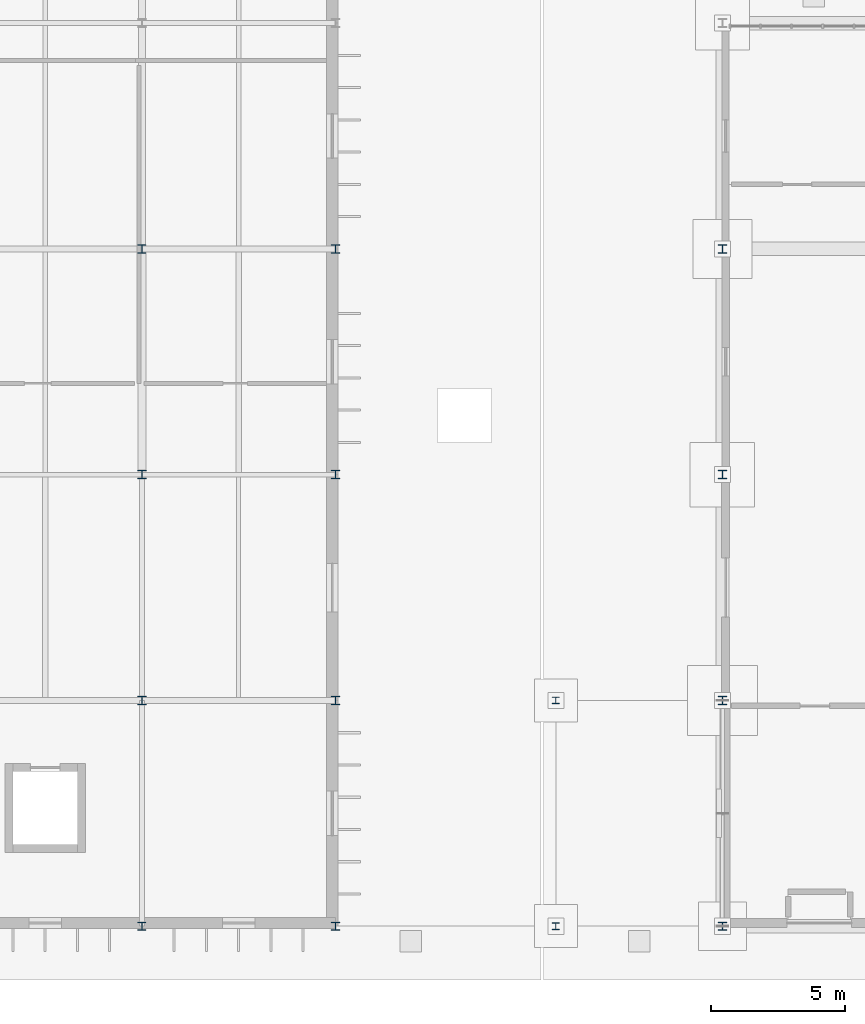
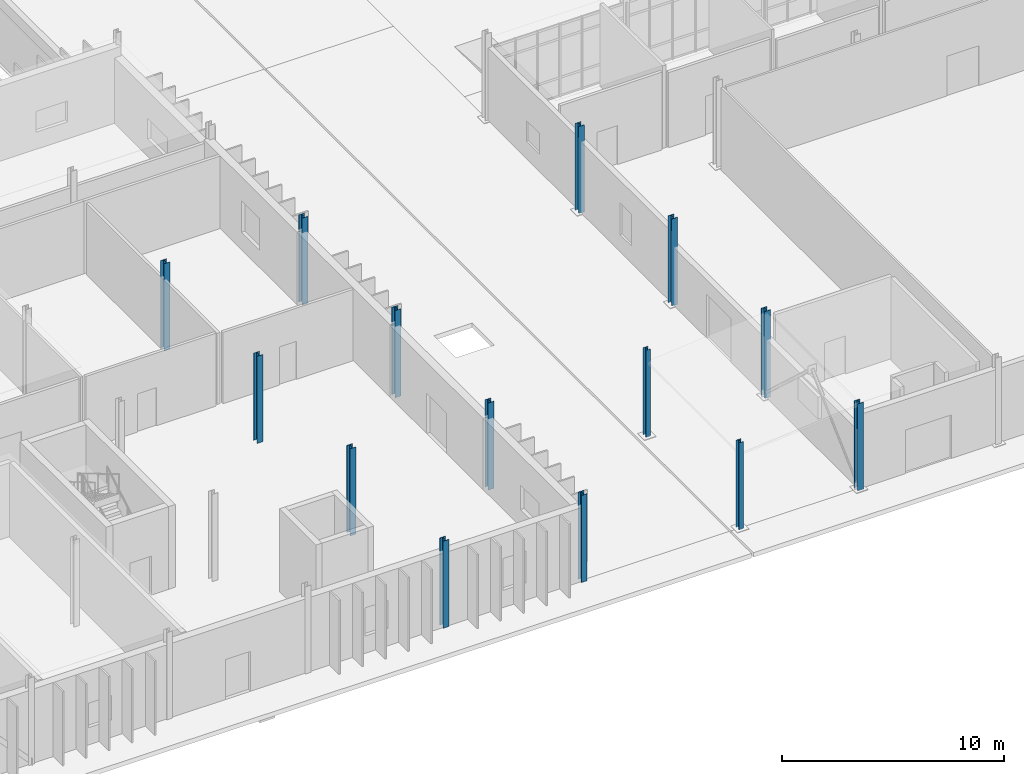
# One storey, part 9 of 118: 14 columns.
"""IFC4 building model written with IfcOpenShell, lengths in metres."""

from ifc_helpers import new_model, si_unit, direction, frame, origin, origin_2d, place, context, subcontext, project, spatial, i_section, extrude, material, material_profile, profile_set, type_object, element, save


model = new_model("IFC4")

# Units and contexts
model_context = context("Model", 3, precision=1e-05, world=origin(), true_north=direction((0.0, 1.0)))
body_context = subcontext(model_context, "Body", "Model", "MODEL_VIEW")
ifc_project = project(units=[si_unit("LENGTHUNIT", "METRE"), si_unit("AREAUNIT", "SQUARE_METRE"), si_unit("VOLUMEUNIT", "CUBIC_METRE"), si_unit("PLANEANGLEUNIT", "RADIAN"), si_unit("MASSUNIT", "GRAM", prefix="KILO")], contexts=[model_context])

# Site, building, storey
site_placement = place(None, origin())
site = spatial("IfcSite", under=ifc_project, at=site_placement, CompositionType="ELEMENT")
building_placement = place(site_placement, origin())
building = spatial("IfcBuilding", under=site, at=building_placement, Name="Qelthora Terrace Specialist Clinic", CompositionType="ELEMENT")
storey_placement = place(building_placement, origin())
storey = spatial("IfcBuildingStorey", under=building, at=storey_placement, Name="L00", CompositionType="ELEMENT", Elevation=0.0)

# Columns
ifc_material = material(Name="Steel S355", Category="steel")
ifc_material_profile_1 = material_profile(ifc_material, i_section(OverallWidth=0.2548828125, OverallDepth=0.256103515625, WebThickness=0.009521484375, FlangeThickness=0.015625, FilletRadius=0.012939453125, at=origin_2d()), Name="W250X80")
ifc_profile_set_1 = profile_set([ifc_material_profile_1], Name="Steel S355")
column_type_1 = type_object("IfcColumnType", Name="COL-W250X80", PredefinedType="COLUMN", material=ifc_profile_set_1)
column_1_placement = place(storey_placement, frame((51.39990234375, 8.39990234375, 0.0), z_axis=(0.0, 0.0, 1.0), x_axis=(1.0, 0.0, 0.0)))
element("IfcColumn", 1, at=column_1_placement, inside=storey, type_object=column_type_1, Name="Column L00-101", PredefinedType="COLUMN", context=body_context, shape_type="SweptSolid", body=[
    extrude(i_section(OverallWidth=0.2548828125, OverallDepth=0.256103515625, WebThickness=0.009521484375, FlangeThickness=0.015625, FilletRadius=0.012939453125, at=origin_2d()), origin(), (0.0, 0.0, 1.0), 4.800048828125),
])
ifc_material_profile_2 = material_profile(ifc_material, i_section(OverallWidth=0.256103515625, OverallDepth=0.260009765625, WebThickness=0.0107421875, FlangeThickness=0.017333984375, FilletRadius=0.012939453125, at=origin_2d()), Name="W250X89")
ifc_profile_set_2 = profile_set([ifc_material_profile_2], Name="Steel S355")
column_type_2 = type_object("IfcColumnType", Name="COL-W250X89", PredefinedType="COLUMN", material=ifc_profile_set_2)
column_2_placement = place(storey_placement, frame((51.39990234375, 0.0, 0.0), z_axis=(0.0, 0.0, 1.0), x_axis=(1.0, 0.0, 0.0)))
element("IfcColumn", 2, at=column_2_placement, inside=storey, type_object=column_type_2, Name="Column L00-100", PredefinedType="COLUMN", context=body_context, shape_type="SweptSolid", body=[
    extrude(i_section(OverallWidth=0.256103515625, OverallDepth=0.260009765625, WebThickness=0.0107421875, FlangeThickness=0.017333984375, FilletRadius=0.012939453125, at=origin_2d()), origin(), (0.0, 0.0, 1.0), 4.800048828125),
])
ifc_material_profile_3 = material_profile(ifc_material, i_section(OverallWidth=0.305908203125, OverallDepth=0.31103515625, WebThickness=0.010986328125, FlangeThickness=0.01708984375, FilletRadius=0.014892578125, at=origin_2d()), Name="W310X107")
ifc_profile_set_3 = profile_set([ifc_material_profile_3], Name="Steel S355")
column_type_3 = type_object("IfcColumnType", Name="COL-W310X107", PredefinedType="COLUMN", material=ifc_profile_set_3)
for number, where, z_axis, x_axis, name in (
    (3, (36.0, 16.800048828125, 0.0), (0.0, 0.0, 1.0), (1.0, 0.0, 0.0), "Column L00-067"),
    (4, (43.199951171875, 0.0, 0.0), (0.0, 0.0, 1.0), (1.0, 0.0, 0.0), "Column L00-079"),
    (5, (43.199951171875, 25.199951171875, 0.0), (0.0, 0.0, 1.0), (1.0, 0.0, 0.0), "Column L00-082"),
    (6, (57.60009765625, 16.800048828125, 0.0), (0.0, 0.0, 1.0), (1.0, 0.0, 0.0), "Column L00-106"),
):
    element("IfcColumn", number, at=place(storey_placement, frame(where, z_axis=z_axis, x_axis=x_axis)), inside=storey, type_object=column_type_3, Name=name, PredefinedType="COLUMN", context=body_context, shape_type="SweptSolid", body=[
        extrude(i_section(OverallWidth=0.305908203125, OverallDepth=0.31103515625, WebThickness=0.010986328125, FlangeThickness=0.01708984375, FilletRadius=0.014892578125, at=origin_2d()), origin(), (0.0, 0.0, 1.0), 4.800048828125),
    ])
ifc_material_profile_4 = material_profile(ifc_material, i_section(OverallWidth=0.306884765625, OverallDepth=0.31396484375, WebThickness=0.011962890625, FlangeThickness=0.018798828125, FilletRadius=0.01611328125, at=origin_2d()), Name="W310X118")
ifc_profile_set_4 = profile_set([ifc_material_profile_4], Name="Steel S355")
column_type_4 = type_object("IfcColumnType", Name="COL-W310X118", PredefinedType="COLUMN", material=ifc_profile_set_4)
for number, where, z_axis, x_axis, name in (
    (7, (36.0, 8.39990234375, 0.0), (0.0, 0.0, 1.0), (1.0, 0.0, 0.0), "Column L00-066"),
    (8, (43.199951171875, 16.800048828125, 0.0), (0.0, 0.0, 1.0), (1.0, 0.0, 0.0), "Column L00-081"),
    (9, (57.60009765625, 8.39990234375, 0.0), (0.0, 0.0, 1.0), (1.0, 0.0, 0.0), "Column L00-105"),
):
    element("IfcColumn", number, at=place(storey_placement, frame(where, z_axis=z_axis, x_axis=x_axis)), inside=storey, type_object=column_type_4, Name=name, PredefinedType="COLUMN", context=body_context, shape_type="SweptSolid", body=[
        extrude(i_section(OverallWidth=0.306884765625, OverallDepth=0.31396484375, WebThickness=0.011962890625, FlangeThickness=0.018798828125, FilletRadius=0.01611328125, at=origin_2d()), origin(), (0.0, 0.0, 1.0), 4.800048828125),
    ])
ifc_material_profile_5 = material_profile(ifc_material, i_section(OverallWidth=0.304931640625, OverallDepth=0.30810546875, WebThickness=0.010009765625, FlangeThickness=0.015380859375, FilletRadius=0.014892578125, at=origin_2d()), Name="W310X97")
ifc_profile_set_5 = profile_set([ifc_material_profile_5], Name="Steel S355")
column_type_5 = type_object("IfcColumnType", Name="COL-W310X97", PredefinedType="COLUMN", material=ifc_profile_set_5)
for number, where, z_axis, x_axis, name in (
    (10, (36.0, 0.0, 0.0), (0.0, 0.0, 1.0), (1.0, 0.0, 0.0), "Column L00-065"),
    (11, (36.0, 25.199951171875, 0.0), (0.0, 0.0, 1.0), (1.0, 0.0, 0.0), "Column L00-068"),
    (12, (43.199951171875, 8.39990234375, 0.0), (0.0, 0.0, 1.0), (1.0, 0.0, 0.0), "Column L00-080"),
    (13, (57.60009765625, 0.0, 0.0), (0.0, 0.0, 1.0), (1.0, 0.0, 0.0), "Column L00-104"),
    (14, (57.60009765625, 25.199951171875, 0.0), (0.0, 0.0, 1.0), (1.0, 0.0, 0.0), "Column L00-107"),
):
    element("IfcColumn", number, at=place(storey_placement, frame(where, z_axis=z_axis, x_axis=x_axis)), inside=storey, type_object=column_type_5, Name=name, PredefinedType="COLUMN", context=body_context, shape_type="SweptSolid", body=[
        extrude(i_section(OverallWidth=0.304931640625, OverallDepth=0.30810546875, WebThickness=0.010009765625, FlangeThickness=0.015380859375, FilletRadius=0.014892578125, at=origin_2d()), origin(), (0.0, 0.0, 1.0), 4.800048828125),
    ])

save(model, "model.ifc")
